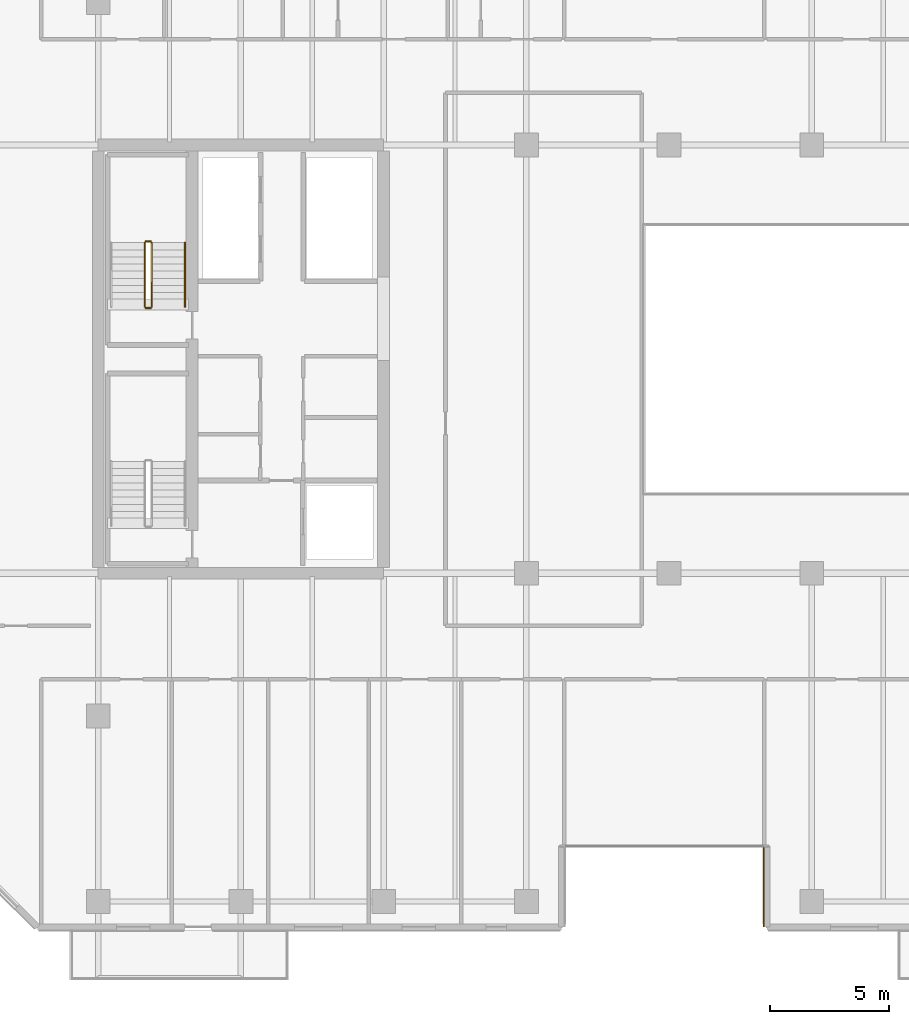
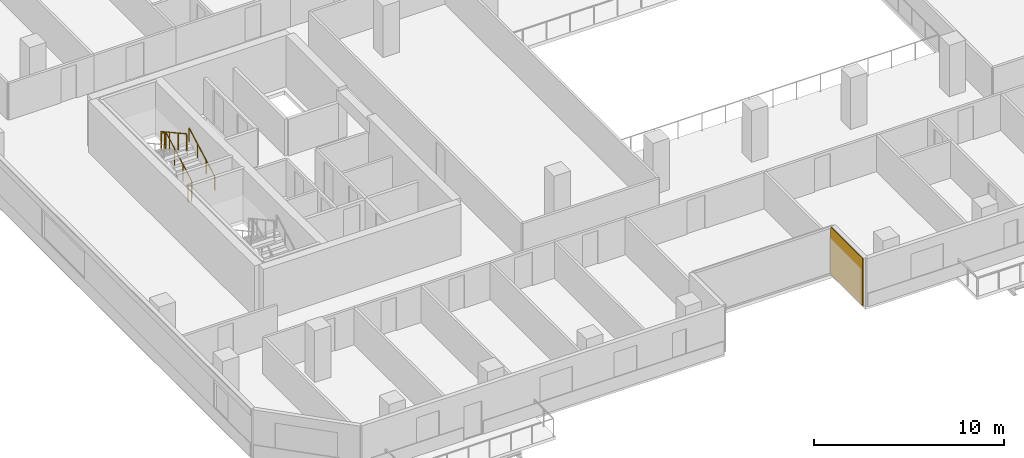
# One storey, part 20 of 23: 5 railings, 1 covering.
"""IFC4 building model written with IfcOpenShell, lengths in metres."""

from ifc_helpers import new_model, si_unit, direction, frame, origin, origin_2d, place, context, subcontext, project, spatial, rectangle, extrude, material, layer, layer_set, type_object, element, save


model = new_model("IFC4")

# Units and contexts
model_context = context("Model", 3, precision=1e-05, world=origin(), true_north=direction((0.0, 1.0)))
body_context = subcontext(model_context, "Body", "Model", "MODEL_VIEW")
ifc_project = project(units=[si_unit("LENGTHUNIT", "METRE"), si_unit("AREAUNIT", "SQUARE_METRE"), si_unit("VOLUMEUNIT", "CUBIC_METRE"), si_unit("PLANEANGLEUNIT", "RADIAN"), si_unit("MASSUNIT", "GRAM", prefix="KILO")], contexts=[model_context])

# Site, building, storey
site_placement = place(None, origin())
site = spatial("IfcSite", under=ifc_project, at=site_placement, CompositionType="ELEMENT")
building_placement = place(site_placement, origin())
building = spatial("IfcBuilding", under=site, at=building_placement, Name="Tanjung Sevakor Pilgrim Tower", CompositionType="ELEMENT")
storey_placement = place(building_placement, frame((0.0, 0.0, 98.669921875)))
storey = spatial("IfcBuildingStorey", under=building, at=storey_placement, Name="L27", CompositionType="ELEMENT", Elevation=98.669921875)

# Covering
ifc_material_1 = material(Name="Reconstructed Limestone Cladding", Category="masonry")
ifc_layer = layer(ifc_material_1, 0.044921875)
ifc_layer_set = layer_set([ifc_layer], Name="COV-CLAD-LIMESTONE")
covering_type = type_object("IfcCoveringType", Name="COV-CLAD-LIMESTONE", PredefinedType="CLADDING", material=ifc_layer_set)
covering_placement = place(storey_placement, frame((51.9775390625, 11.425048828125, 0.02001953125), z_axis=(0.0, 0.0, 1.0), x_axis=(0.0, -1.0, 0.0)))
element("IfcCovering", 1, at=covering_placement, inside=storey, type_object=covering_type, Name="L27 Warm Limestone Wall Cladding EW-L27-MAIN-4", PredefinedType="CLADDING", context=body_context, shape_type="SweptSolid", body=[
    extrude(rectangle(XDim=3.360107421875, YDim=0.044921875, at=origin_2d()), origin(), (0.0, 0.0, 1.0), 3.0400390625),
])

# Railings
ifc_material_2 = material(Name="Steel S355J2", Category="steel")
railing_type_1 = type_object("IfcRailingType", Name="RL-STAIR-GUARD", PredefinedType="GUARDRAIL", material=ifc_material_2)
railing_1_placement = place(storey_placement, frame((26.25, 35.800048828125, 0.1650390625)))
element("IfcRailing", 2, at=railing_1_placement, inside=storey, type_object=railing_type_1, Name="L27 TS-W2 stair guard 1", PredefinedType="GUARDRAIL", context=body_context, shape_type="SweptSolid", body=[
    extrude(rectangle(XDim=0.0479, YDim=0.0479), frame((0.0, 0.0, 1.076171875), z_axis=(0.0, 0.876197507361, 0.481952205197), x_axis=(-1.0, 0.0, 0.0)), (0.0, 0.0, 1.0), 3.08154296875),
    extrude(rectangle(XDim=0.042, YDim=0.042), origin(), (0.0, 0.0, 1.0), 1.052001953125),
    extrude(rectangle(XDim=0.042, YDim=0.042), frame((0.0, 0.89990234375, 0.4951171875)), (0.0, 0.0, 1.0), 1.052001953125),
    extrude(rectangle(XDim=0.042, YDim=0.042), frame((0.0, 1.800048828125, 0.989990234375)), (0.0, 0.0, 1.0), 1.052001953125),
    extrude(rectangle(XDim=0.042, YDim=0.042), frame((0.0, 2.699951171875, 1.485107421875)), (0.0, 0.0, 1.0), 1.052001953125),
])
railing_2_placement = place(storey_placement, frame((26.199951171875, 38.550048828125, 1.650146484375)))
element("IfcRailing", 3, at=railing_2_placement, inside=storey, type_object=railing_type_1, Name="L27 TS-W2 stair guard 2", PredefinedType="GUARDRAIL", context=body_context, shape_type="SweptSolid", body=[
    extrude(rectangle(XDim=0.0479, YDim=0.0479), frame((0.0, 0.0, 1.076171875), z_axis=(-1.0, 0.0, 0.0), x_axis=(0.0, -1.0, 0.0)), (0.0, 0.0, 1.0), 0.199951171875),
    extrude(rectangle(XDim=0.042, YDim=0.042), origin(), (0.0, 0.0, 1.0), 1.052001953125),
    extrude(rectangle(XDim=0.042, YDim=0.042), frame((-0.199951171875, 0.0, 0.0)), (0.0, 0.0, 1.0), 1.052001953125),
])
railing_3_placement = place(storey_placement, frame((25.949951171875, 38.5, 1.815185546875)))
element("IfcRailing", 4, at=railing_3_placement, inside=storey, type_object=railing_type_1, Name="L27 TS-W2 stair guard 3", PredefinedType="GUARDRAIL", context=body_context, shape_type="SweptSolid", body=[
    extrude(rectangle(XDim=0.0479, YDim=0.0479), frame((0.0, 0.0, 1.076171875), z_axis=(0.0, -0.876230963923, 0.481891375584), x_axis=(1.0, 0.0, 0.0)), (0.0, 0.0, 1.0), 3.081298828125),
    extrude(rectangle(XDim=0.042, YDim=0.042), origin(), (0.0, 0.0, 1.0), 1.052001953125),
    extrude(rectangle(XDim=0.042, YDim=0.042), frame((0.0, -0.89990234375, 0.494873046875)), (0.0, 0.0, 1.0), 1.052001953125),
    extrude(rectangle(XDim=0.042, YDim=0.042), frame((0.0, -1.800048828125, 0.989990234375)), (0.0, 0.0, 1.0), 1.052001953125),
    extrude(rectangle(XDim=0.042, YDim=0.042), frame((0.0, -2.699951171875, 1.48486328125)), (0.0, 0.0, 1.0), 1.052001953125),
])
railing_4_placement = place(storey_placement, frame((26.199951171875, 35.75, 0.0)))
element("IfcRailing", 5, at=railing_4_placement, inside=storey, type_object=railing_type_1, Name="L27 TS-W2 stair guard 4", PredefinedType="GUARDRAIL", context=body_context, shape_type="SweptSolid", body=[
    extrude(rectangle(XDim=0.0479, YDim=0.0479), frame((0.0, 0.0, 1.076171875), z_axis=(-1.0, 0.0, 0.0), x_axis=(0.0, -1.0, 0.0)), (0.0, 0.0, 1.0), 0.199951171875),
    extrude(rectangle(XDim=0.042, YDim=0.042), origin(), (0.0, 0.0, 1.0), 1.052001953125),
    extrude(rectangle(XDim=0.042, YDim=0.042), frame((-0.199951171875, 0.0, 0.0)), (0.0, 0.0, 1.0), 1.052001953125),
])
ifc_material_3 = material(Name="Steel S355J2", Category="steel")
railing_type_2 = type_object("IfcRailingType", Name="RL-STAIR-HAND", PredefinedType="HANDRAIL", material=ifc_material_3)
railing_5_placement = place(storey_placement, frame((27.64990234375, 35.800048828125, 0.1650390625)))
element("IfcRailing", 6, at=railing_5_placement, inside=storey, type_object=railing_type_2, Name="L27 TS-W2 stair handrail 1", PredefinedType="HANDRAIL", context=body_context, shape_type="SweptSolid", body=[
    extrude(rectangle(XDim=0.0479, YDim=0.0479), frame((0.0, 0.0, 0.8759765625), z_axis=(0.0, 0.876197507361, 0.481952205197), x_axis=(-1.0, 0.0, 0.0)), (0.0, 0.0, 1.0), 3.08154296875),
    extrude(rectangle(XDim=0.042, YDim=0.042), origin(), (0.0, 0.0, 1.0), 0.851806640625),
    extrude(rectangle(XDim=0.042, YDim=0.042), frame((0.0, 0.89990234375, 0.4951171875)), (0.0, 0.0, 1.0), 0.851806640625),
    extrude(rectangle(XDim=0.042, YDim=0.042), frame((0.0, 1.800048828125, 0.989990234375)), (0.0, 0.0, 1.0), 0.851806640625),
    extrude(rectangle(XDim=0.042, YDim=0.042), frame((0.0, 2.699951171875, 1.485107421875)), (0.0, 0.0, 1.0), 0.851806640625),
])

save(model, "model.ifc")
